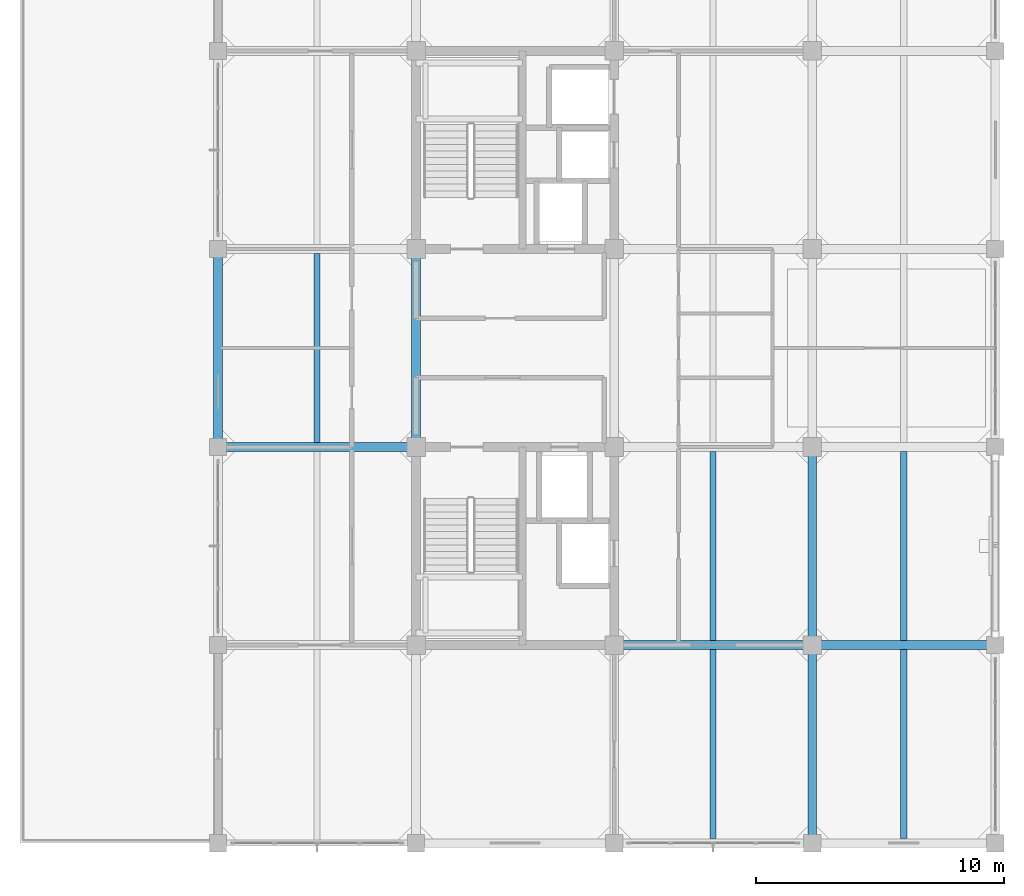
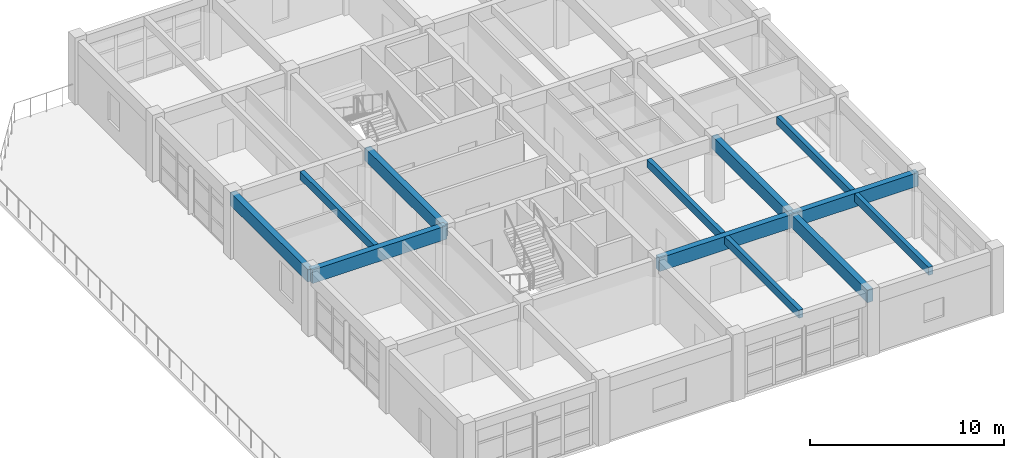
# One storey, part 6 of 25: 12 beams.
"""IFC4 building model written with IfcOpenShell, lengths in metres."""

from ifc_helpers import new_model, si_unit, direction, frame, origin, origin_2d, place, context, subcontext, project, spatial, rectangle, extrude, material, material_profile, profile_set, type_object, element, save


model = new_model("IFC4")

# Units and contexts
model_context = context("Model", 3, precision=1e-05, world=origin(), true_north=direction((0.0, 1.0)))
body_context = subcontext(model_context, "Body", "Model", "MODEL_VIEW")
ifc_project = project(units=[si_unit("LENGTHUNIT", "METRE"), si_unit("AREAUNIT", "SQUARE_METRE"), si_unit("VOLUMEUNIT", "CUBIC_METRE"), si_unit("PLANEANGLEUNIT", "RADIAN"), si_unit("MASSUNIT", "GRAM", prefix="KILO")], contexts=[model_context])

# Site, building, storey
site_placement = place(None, origin())
site = spatial("IfcSite", under=ifc_project, at=site_placement, CompositionType="ELEMENT")
building_placement = place(site_placement, origin())
building = spatial("IfcBuilding", under=site, at=building_placement, Name="Canggui Botanical Conservatory", CompositionType="ELEMENT")
storey_placement = place(building_placement, frame((0.0, 0.0, 40.199951171875)))
storey = spatial("IfcBuildingStorey", under=building, at=storey_placement, Name="L10", CompositionType="ELEMENT", Elevation=40.199951171875)

# Beams
ifc_material = material(Name="Concrete C35", Category="concrete")
ifc_material_profile_1 = material_profile(ifc_material, rectangle(XDim=0.25, YDim=0.5, at=origin_2d()), Name="RB 250x500")
ifc_profile_set_1 = profile_set([ifc_material_profile_1], Name="Concrete C35")
beam_type_1 = type_object("IfcBeamType", Name="BM-JST04", PredefinedType="JOIST", material=ifc_profile_set_1)
for number, where, z_axis, x_axis, name in (
    (1, (150.0, 50.179931640625, 3.7099609375), (0.0, 1.0, 0.0), (-1.0, 0.0, 0.0), "Secondary Floor Joist L10-1-3"),
    (2, (166.0, 34.179931640625, 3.7099609375), (0.0, 1.0, 0.0), (-1.0, 0.0, 0.0), "Secondary Floor Joist L10-3-1"),
    (3, (166.0, 42.179931640625, 3.7099609375), (0.0, 1.0, 0.0), (-1.0, 0.0, 0.0), "Secondary Floor Joist L10-3-2"),
    (4, (173.699951171875, 34.179931640625, 3.7099609375), (0.0, 1.0, 0.0), (-1.0, 0.0, 0.0), "Secondary Floor Joist L10-4-1"),
    (5, (173.699951171875, 42.179931640625, 3.7099609375), (0.0, 1.0, 0.0), (-1.0, 0.0, 0.0), "Secondary Floor Joist L10-4-2"),
):
    element("IfcBeam", number, at=place(storey_placement, frame(where, z_axis=z_axis, x_axis=x_axis)), inside=storey, type_object=beam_type_1, Name=name, PredefinedType="JOIST", context=body_context, shape_type="SweptSolid", body=[
        extrude(rectangle(XDim=0.25, YDim=0.5, at=origin_2d()), origin(), (0.0, 0.0, 1.0), 7.64013671875),
    ])
ifc_material_profile_2 = material_profile(ifc_material, rectangle(XDim=0.35009765625, YDim=0.85009765625, at=origin_2d()), Name="RB 350x850")
ifc_profile_set_2 = profile_set([ifc_material_profile_2], Name="Concrete C35")
beam_type_2 = type_object("IfcBeamType", Name="BM-KL14", PredefinedType="BEAM", material=ifc_profile_set_2)
beam_1_placement = place(storey_placement, frame((162.0, 42.0, 3.53515625), z_axis=(1.0, 0.0, 0.0), x_axis=(0.0, 1.0, 0.0)))
element("IfcBeam", 6, at=beam_1_placement, inside=storey, type_object=beam_type_2, Name="Frame Girder L10 Y42-3", PredefinedType="BEAM", context=body_context, shape_type="SweptSolid", body=[
    extrude(rectangle(XDim=0.35009765625, YDim=0.85009765625, at=origin_2d()), origin(), (0.0, 0.0, 1.0), 8.0),
])
beam_2_placement = place(storey_placement, frame((170.0, 42.0, 3.53515625), z_axis=(1.0, 0.0, 0.0), x_axis=(0.0, 1.0, 0.0)))
element("IfcBeam", 7, at=beam_2_placement, inside=storey, type_object=beam_type_2, Name="Frame Girder L10 Y42-4", PredefinedType="BEAM", context=body_context, shape_type="SweptSolid", body=[
    extrude(rectangle(XDim=0.35009765625, YDim=0.85009765625, at=origin_2d()), origin(), (0.0, 0.0, 1.0), 7.39990234375),
])
beam_3_placement = place(storey_placement, frame((146.0, 50.0, 3.53515625), z_axis=(1.0, 0.0, 0.0), x_axis=(0.0, 1.0, 0.0)))
element("IfcBeam", 8, at=beam_3_placement, inside=storey, type_object=beam_type_2, Name="Frame Girder L10 Y50-1", PredefinedType="BEAM", context=body_context, shape_type="SweptSolid", body=[
    extrude(rectangle(XDim=0.35009765625, YDim=0.85009765625, at=origin_2d()), origin(), (0.0, 0.0, 1.0), 8.0),
])
ifc_material_profile_3 = material_profile(ifc_material, rectangle(XDim=0.35009765625, YDim=0.800048828125, at=origin_2d()), Name="RB 350x800")
ifc_profile_set_3 = profile_set([ifc_material_profile_3], Name="Concrete C35")
beam_type_3 = type_object("IfcBeamType", Name="BM-KL15", PredefinedType="BEAM", material=ifc_profile_set_3)
for number, where, z_axis, x_axis, name in (
    (9, (146.0, 50.0, 3.56005859375), (0.0, 1.0, 0.0), (-1.0, 0.0, 0.0), "Frame Girder L10 X146-3"),
    (10, (154.0, 50.0, 3.56005859375), (0.0, 1.0, 0.0), (-1.0, 0.0, 0.0), "Frame Girder L10 X154-3"),
    (11, (170.0, 34.0, 3.56005859375), (0.0, 1.0, 0.0), (-1.0, 0.0, 0.0), "Frame Girder L10 X170-1"),
    (12, (170.0, 42.0, 3.56005859375), (0.0, 1.0, 0.0), (-1.0, 0.0, 0.0), "Frame Girder L10 X170-2"),
):
    element("IfcBeam", number, at=place(storey_placement, frame(where, z_axis=z_axis, x_axis=x_axis)), inside=storey, type_object=beam_type_3, Name=name, PredefinedType="BEAM", context=body_context, shape_type="SweptSolid", body=[
        extrude(rectangle(XDim=0.35009765625, YDim=0.800048828125, at=origin_2d()), origin(), (0.0, 0.0, 1.0), 8.0),
    ])

save(model, "model.ifc")
